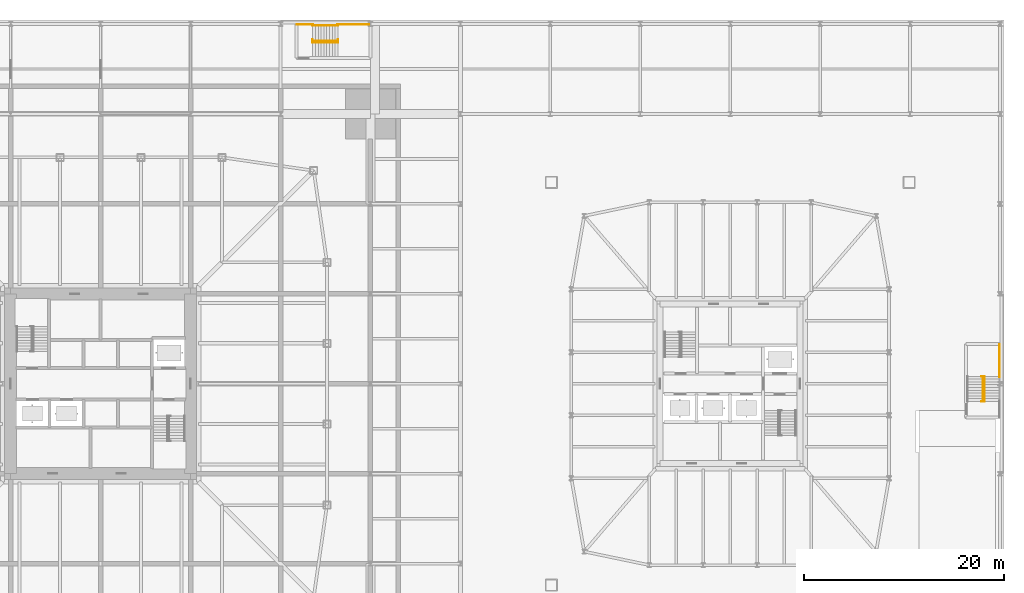
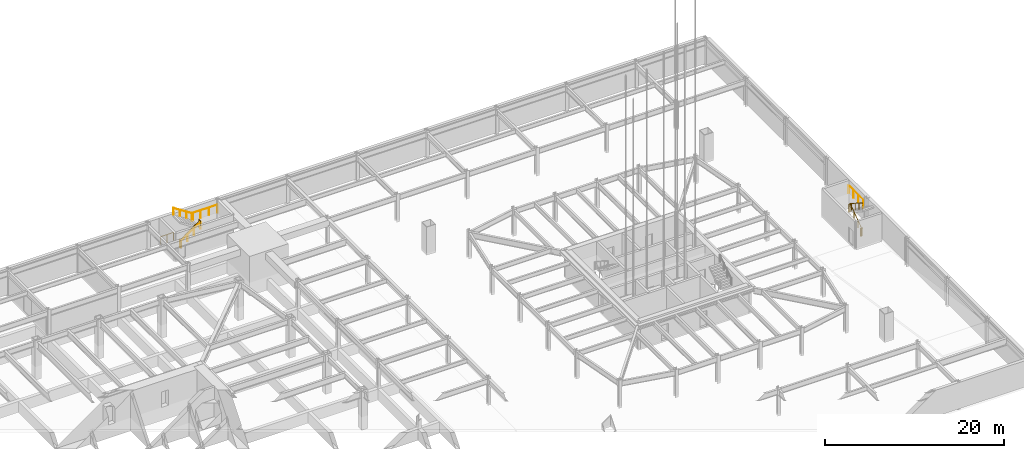
# One storey, part 34 of 35: 8 railings.
"""IFC4 building model written with IfcOpenShell, lengths in metres."""

from ifc_helpers import new_model, si_unit, direction, frame, origin, origin_2d, place, context, subcontext, project, spatial, circle, extrude, material, constituent, constituent_set, type_object, element, save


model = new_model("IFC4")

# Units and contexts
model_context = context("Model", 3, precision=1e-05, world=origin(), true_north=direction((0.0, 1.0)))
body_context = subcontext(model_context, "Body", "Model", "MODEL_VIEW")
ifc_project = project(units=[si_unit("LENGTHUNIT", "METRE"), si_unit("AREAUNIT", "SQUARE_METRE"), si_unit("VOLUMEUNIT", "CUBIC_METRE"), si_unit("PLANEANGLEUNIT", "RADIAN"), si_unit("MASSUNIT", "GRAM", prefix="KILO")], contexts=[model_context])

# Site, building, storey
site_placement = place(None, origin())
site = spatial("IfcSite", under=ifc_project, at=site_placement, CompositionType="ELEMENT")
building_placement = place(site_placement, origin())
building = spatial("IfcBuilding", under=site, at=building_placement, Name="Iwan Alto Co-Living Towers", CompositionType="ELEMENT")
storey_placement = place(building_placement, frame((0.0, 0.0, -7.199951171875)))
storey = spatial("IfcBuildingStorey", under=building, at=storey_placement, Name="B2", CompositionType="ELEMENT", Elevation=-7.199951171875)

# Railings
ifc_material_1 = material(Name="Steel ASTM A500 Gr C", Category="steel")
ifc_constituent_1 = constituent(ifc_material_1, Name="Rails and posts", Category="Framing")
ifc_material_2 = material(Name="Steel ASTM A36", Category="steel")
ifc_constituent_2 = constituent(ifc_material_2, Name="Bar infill", Category="Infill")
ifc_constituent_set = constituent_set(constituents=[ifc_constituent_1, ifc_constituent_2], Name="STAIR GUARD 1100")
railing_type_1 = type_object("IfcRailingType", Name="STAIR GUARD 1100", PredefinedType="GUARDRAIL", material=ifc_constituent_set)
railing_1_placement = place(storey_placement, frame((88.300048828125, -1.780029296875, 0.0)))
element("IfcRailing", 1, at=railing_1_placement, inside=storey, type_object=railing_type_1, Name="Stair PS2 well guard B2", PredefinedType="GUARDRAIL", context=body_context, shape_type="SweptSolid", body=[
    extrude(circle(Radius=0.02392578125, at=origin_2d()), frame((0.0, 0.0, 1.076171875), z_axis=(0.0, 0.813728144527, 0.581245650998), x_axis=(-1.0, 0.0, 0.0)), (0.0, 0.0, 1.0), 3.096923828125),
    extrude(circle(Radius=0.02392578125, at=origin_2d()), frame((-0.150146484375, 0.0, 1.076171875), z_axis=(1.0, 0.0, 0.0), x_axis=(0.0, 1.0, 0.0)), (0.0, 0.0, 1.0), 0.300048828125),
    extrude(circle(Radius=0.02392578125, at=origin_2d()), frame((-0.150146484375, 2.52001953125, 2.8759765625), z_axis=(1.0, 0.0, 0.0), x_axis=(0.0, 1.0, 0.0)), (0.0, 0.0, 1.0), 0.300048828125),
    extrude(circle(Radius=0.02099609375, at=origin_2d()), origin(), (0.0, 0.0, 1.0), 1.052001953125),
    extrude(circle(Radius=0.02099609375, at=origin_2d()), frame((0.0, 0.840087890625, 0.60009765625)), (0.0, 0.0, 1.0), 1.052001953125),
    extrude(circle(Radius=0.02099609375, at=origin_2d()), frame((0.0, 1.679931640625, 1.199951171875)), (0.0, 0.0, 1.0), 1.052001953125),
    extrude(circle(Radius=0.02099609375, at=origin_2d()), frame((0.0, 2.52001953125, 1.800048828125)), (0.0, 0.0, 1.0), 1.052001953125),
    extrude(circle(Radius=0.02099609375, at=origin_2d()), frame((-0.150146484375, 0.0, 0.0)), (0.0, 0.0, 1.0), 1.052001953125),
    extrude(circle(Radius=0.02099609375, at=origin_2d()), frame((0.14990234375, 0.0, 0.0)), (0.0, 0.0, 1.0), 1.052001953125),
    extrude(circle(Radius=0.02099609375, at=origin_2d()), frame((-0.150146484375, 2.52001953125, 1.800048828125)), (0.0, 0.0, 1.0), 1.052001953125),
    extrude(circle(Radius=0.02099609375, at=origin_2d()), frame((0.14990234375, 2.52001953125, 1.800048828125)), (0.0, 0.0, 1.0), 1.052001953125),
])
railing_2_placement = place(storey_placement, frame((89.93994140625, 0.68994140625, 1.800048828125)))
element("IfcRailing", 2, at=railing_2_placement, inside=storey, type_object=railing_type_1, Name="Stair PS2 edge guard B2 2", PredefinedType="GUARDRAIL", context=body_context, shape_type="SweptSolid", body=[
    extrude(circle(Radius=0.02392578125, at=origin_2d()), frame((0.0, 0.0, 1.076171875), z_axis=(0.0, 1.0, 0.0), x_axis=(-1.0, 0.0, 0.0)), (0.0, 0.0, 1.0), 3.260009765625),
    extrude(circle(Radius=0.02099609375, at=origin_2d()), origin(), (0.0, 0.0, 1.0), 1.052001953125),
    extrude(circle(Radius=0.02099609375, at=origin_2d()), frame((0.0, 1.086669921875, 0.0)), (0.0, 0.0, 1.0), 1.052001953125),
    extrude(circle(Radius=0.02099609375, at=origin_2d()), frame((0.0, 2.17333984375, 0.0)), (0.0, 0.0, 1.0), 1.052001953125),
    extrude(circle(Radius=0.02099609375, at=origin_2d()), frame((0.0, 3.260009765625, 0.0)), (0.0, 0.0, 1.0), 1.052001953125),
])
railing_3_placement = place(storey_placement, frame((21.219970703125, 34.300048828125, 0.0)))
element("IfcRailing", 3, at=railing_3_placement, inside=storey, type_object=railing_type_1, Name="Stair PS3 well guard B2", PredefinedType="GUARDRAIL", context=body_context, shape_type="SweptSolid", body=[
    extrude(circle(Radius=0.02392578125, at=origin_2d()), frame((0.0, 0.0, 1.076171875), z_axis=(0.813728144527, 0.0, 0.581245650998), x_axis=(0.0, 1.0, 0.0)), (0.0, 0.0, 1.0), 3.096923828125),
    extrude(circle(Radius=0.02392578125, at=origin_2d()), frame((0.0, -0.150146484375, 1.076171875), z_axis=(0.0, 1.0, 0.0), x_axis=(-1.0, 0.0, 0.0)), (0.0, 0.0, 1.0), 0.300048828125),
    extrude(circle(Radius=0.02392578125, at=origin_2d()), frame((2.52001953125, -0.150146484375, 2.8759765625), z_axis=(0.0, 1.0, 0.0), x_axis=(-1.0, 0.0, 0.0)), (0.0, 0.0, 1.0), 0.300048828125),
    extrude(circle(Radius=0.02099609375, at=origin_2d()), origin(), (0.0, 0.0, 1.0), 1.052001953125),
    extrude(circle(Radius=0.02099609375, at=origin_2d()), frame((0.840087890625, 0.0, 0.60009765625)), (0.0, 0.0, 1.0), 1.052001953125),
    extrude(circle(Radius=0.02099609375, at=origin_2d()), frame((1.679931640625, 0.0, 1.199951171875)), (0.0, 0.0, 1.0), 1.052001953125),
    extrude(circle(Radius=0.02099609375, at=origin_2d()), frame((2.52001953125, 0.0, 1.800048828125)), (0.0, 0.0, 1.0), 1.052001953125),
    extrude(circle(Radius=0.02099609375, at=origin_2d()), frame((0.0, -0.150146484375, 0.0)), (0.0, 0.0, 1.0), 1.052001953125),
    extrude(circle(Radius=0.02099609375, at=origin_2d()), frame((0.0, 0.14990234375, 0.0)), (0.0, 0.0, 1.0), 1.052001953125),
    extrude(circle(Radius=0.02099609375, at=origin_2d()), frame((2.52001953125, -0.150146484375, 1.800048828125)), (0.0, 0.0, 1.0), 1.052001953125),
    extrude(circle(Radius=0.02099609375, at=origin_2d()), frame((2.52001953125, 0.14990234375, 1.800048828125)), (0.0, 0.0, 1.0), 1.052001953125),
])
railing_4_placement = place(storey_placement, frame((19.64990234375, 35.93994140625, 0.0)))
element("IfcRailing", 4, at=railing_4_placement, inside=storey, type_object=railing_type_1, Name="Stair PS3 edge guard B2 1", PredefinedType="GUARDRAIL", context=body_context, shape_type="SweptSolid", body=[
    extrude(circle(Radius=0.02392578125, at=origin_2d()), frame((0.0, 0.0, 1.076171875), z_axis=(1.0, 0.0, 0.0), x_axis=(0.0, 1.0, 0.0)), (0.0, 0.0, 1.0), 1.6201171875),
    extrude(circle(Radius=0.02099609375, at=origin_2d()), origin(), (0.0, 0.0, 1.0), 1.052001953125),
    extrude(circle(Radius=0.02099609375, at=origin_2d()), frame((0.81005859375, 0.0, 0.0)), (0.0, 0.0, 1.0), 1.052001953125),
    extrude(circle(Radius=0.02099609375, at=origin_2d()), frame((1.6201171875, 0.0, 0.0)), (0.0, 0.0, 1.0), 1.052001953125),
])
railing_5_placement = place(storey_placement, frame((23.68994140625, 35.93994140625, 1.800048828125)))
element("IfcRailing", 5, at=railing_5_placement, inside=storey, type_object=railing_type_1, Name="Stair PS3 edge guard B2 2", PredefinedType="GUARDRAIL", context=body_context, shape_type="SweptSolid", body=[
    extrude(circle(Radius=0.02392578125, at=origin_2d()), frame((0.0, 0.0, 1.076171875), z_axis=(1.0, 0.0, 0.0), x_axis=(0.0, 1.0, 0.0)), (0.0, 0.0, 1.0), 3.260009765625),
    extrude(circle(Radius=0.02099609375, at=origin_2d()), origin(), (0.0, 0.0, 1.0), 1.052001953125),
    extrude(circle(Radius=0.02099609375, at=origin_2d()), frame((1.086669921875, 0.0, 0.0)), (0.0, 0.0, 1.0), 1.052001953125),
    extrude(circle(Radius=0.02099609375, at=origin_2d()), frame((2.17333984375, 0.0, 0.0)), (0.0, 0.0, 1.0), 1.052001953125),
    extrude(circle(Radius=0.02099609375, at=origin_2d()), frame((3.260009765625, 0.0, 0.0)), (0.0, 0.0, 1.0), 1.052001953125),
])
ifc_material_3 = material(Name="Steel ASTM A500 Gr C", Category="steel")
railing_type_2 = type_object("IfcRailingType", Name="STAIR HANDRAIL 900", PredefinedType="HANDRAIL", material=ifc_material_3)
railing_6_placement = place(storey_placement, frame((88.449951171875, 0.739990234375, 1.97998046875)))
element("IfcRailing", 6, at=railing_6_placement, inside=storey, type_object=railing_type_2, Name="Stair PS2 handrail 2 B2", PredefinedType="HANDRAIL", context=body_context, shape_type="SweptSolid", body=[
    extrude(circle(Radius=0.02392578125, at=origin_2d()), frame((0.0, 0.0, 0.8759765625), z_axis=(0.0, -0.841199657755, 0.540724639528), x_axis=(1.0, 0.0, 0.0)), (0.0, 0.0, 1.0), 2.995849609375),
    extrude(circle(Radius=0.02099609375, at=origin_2d()), origin(), (0.0, 0.0, 1.0), 0.851806640625),
    extrude(circle(Radius=0.02099609375, at=origin_2d()), frame((0.0, -0.840087890625, 0.5400390625)), (0.0, 0.0, 1.0), 0.851806640625),
    extrude(circle(Radius=0.02099609375, at=origin_2d()), frame((0.0, -1.679931640625, 1.079833984375)), (0.0, 0.0, 1.0), 0.851806640625),
    extrude(circle(Radius=0.02099609375, at=origin_2d()), frame((0.0, -2.52001953125, 1.619873046875)), (0.0, 0.0, 1.0), 0.851806640625),
])
railing_7_placement = place(storey_placement, frame((21.219970703125, 34.14990234375, 0.179931640625)))
element("IfcRailing", 7, at=railing_7_placement, inside=storey, type_object=railing_type_2, Name="Stair PS3 handrail 1 B2", PredefinedType="HANDRAIL", context=body_context, shape_type="SweptSolid", body=[
    extrude(circle(Radius=0.02392578125, at=origin_2d()), frame((0.0, 0.0, 0.8759765625), z_axis=(0.841162588446, 0.0, 0.540782303519), x_axis=(0.0, 1.0, 0.0)), (0.0, 0.0, 1.0), 2.995849609375),
    extrude(circle(Radius=0.02099609375, at=origin_2d()), origin(), (0.0, 0.0, 1.0), 0.851806640625),
    extrude(circle(Radius=0.02099609375, at=origin_2d()), frame((0.840087890625, 0.0, 0.5400390625)), (0.0, 0.0, 1.0), 0.851806640625),
    extrude(circle(Radius=0.02099609375, at=origin_2d()), frame((1.679931640625, 0.0, 1.080078125)), (0.0, 0.0, 1.0), 0.851806640625),
    extrude(circle(Radius=0.02099609375, at=origin_2d()), frame((2.52001953125, 0.0, 1.6201171875)), (0.0, 0.0, 1.0), 0.851806640625),
])
railing_8_placement = place(storey_placement, frame((23.739990234375, 35.830078125, 1.97998046875)))
element("IfcRailing", 8, at=railing_8_placement, inside=storey, type_object=railing_type_2, Name="Stair PS3 handrail 2 B2", PredefinedType="HANDRAIL", context=body_context, shape_type="SweptSolid", body=[
    extrude(circle(Radius=0.02392578125, at=origin_2d()), frame((0.0, 0.0, 0.8759765625), z_axis=(-0.841199657755, 0.0, 0.540724639528), x_axis=(0.0, -1.0, 0.0)), (0.0, 0.0, 1.0), 2.995849609375),
    extrude(circle(Radius=0.02099609375, at=origin_2d()), origin(), (0.0, 0.0, 1.0), 0.851806640625),
    extrude(circle(Radius=0.02099609375, at=origin_2d()), frame((-0.840087890625, 0.0, 0.5400390625)), (0.0, 0.0, 1.0), 0.851806640625),
    extrude(circle(Radius=0.02099609375, at=origin_2d()), frame((-1.679931640625, 0.0, 1.079833984375)), (0.0, 0.0, 1.0), 0.851806640625),
    extrude(circle(Radius=0.02099609375, at=origin_2d()), frame((-2.52001953125, 0.0, 1.619873046875)), (0.0, 0.0, 1.0), 0.851806640625),
])

save(model, "model.ifc")
